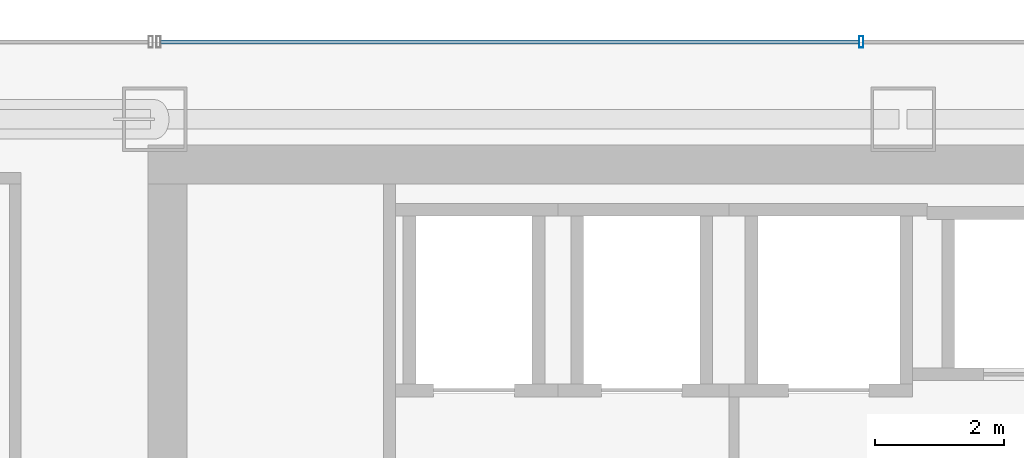
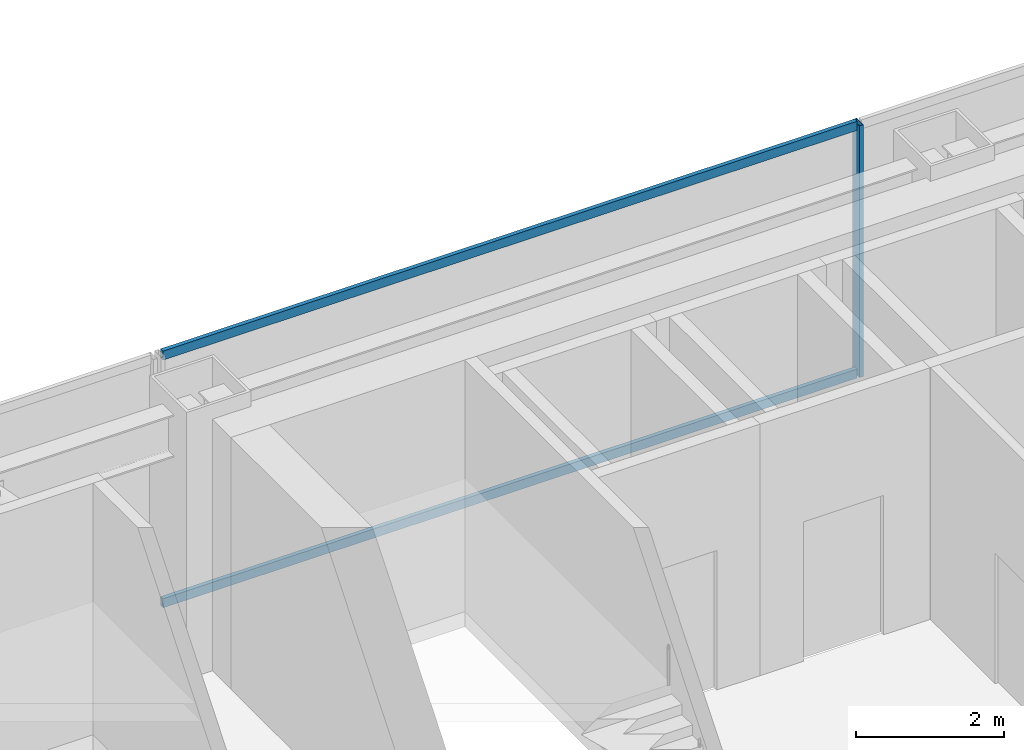
# One storey, part 24 of 37: 3 members, 1 element without a shape of its own.
"""IFC4 building model written with IfcOpenShell, lengths in metres."""

from ifc_helpers import new_model, si_unit, direction, frame, origin, origin_2d, place, context, subcontext, project, spatial, hollow_rectangle, extrude, material, material_profile, profile_set, type_object, element, aggregate, save


model = new_model("IFC4")

# Units and contexts
model_context = context("Model", 3, precision=1e-05, world=origin(), true_north=direction((0.0, 1.0)))
body_context = subcontext(model_context, "Body", "Model", "MODEL_VIEW")
ifc_project = project(units=[si_unit("LENGTHUNIT", "METRE"), si_unit("AREAUNIT", "SQUARE_METRE"), si_unit("VOLUMEUNIT", "CUBIC_METRE"), si_unit("PLANEANGLEUNIT", "RADIAN"), si_unit("MASSUNIT", "GRAM", prefix="KILO")], contexts=[model_context])

# Site, building, storey
site_placement = place(None, origin())
site = spatial("IfcSite", under=ifc_project, at=site_placement, CompositionType="ELEMENT")
building_placement = place(site_placement, origin())
building = spatial("IfcBuilding", under=site, at=building_placement, Name="Saevonmaru Cultural Tower", CompositionType="ELEMENT")
storey_placement = place(building_placement, frame((0.0, 0.0, 114.800048828125)))
storey = spatial("IfcBuildingStorey", under=building, at=storey_placement, Name="L24", CompositionType="ELEMENT", Elevation=114.800048828125)

# Curtain wall, members
ifc_material = material(Name="Satin Bronze Anodised Aluminium", Category="aluminium")
curtain_wall_type = type_object("IfcCurtainWallType", Name="CW-TYP-A", PredefinedType="NOTDEFINED", material=ifc_material)
curtain_wall_placement = place(storey_placement, origin())
curtain_wall = element("IfcCurtainWall", 1, at=curtain_wall_placement, inside=storey, type_object=curtain_wall_type, Name="L24 North Spine Unitised Curtain Wall E10B", PredefinedType="NOTDEFINED")
ifc_material_profile_1 = material_profile(ifc_material, hollow_rectangle(XDim=0.06494140625, YDim=0.179931640625, WallThickness=0.00390625, at=origin_2d()), Name="ALU-MULL-180x65x4")
ifc_profile_set_1 = profile_set([ifc_material_profile_1], Name="Satin Bronze Anodised Aluminium")
member_type_1 = type_object("IfcMemberType", Name="ML-CW-180x65", PredefinedType="MULLION", material=ifc_profile_set_1)
member_1_placement = place(storey_placement, frame((24.55322265625, 56.0, 0.0), z_axis=(0.0, 0.0, 1.0), x_axis=(-1.0, 0.0, 0.0)))
member_1 = element("IfcMember", 2, at=member_1_placement, type_object=member_type_1, Name="CW-TW-L24-E10B mullion 3", PredefinedType="MULLION", context=body_context, shape_type="SweptSolid", body=[
    extrude(hollow_rectangle(XDim=0.06494140625, YDim=0.179931640625, WallThickness=0.00390625, at=origin_2d()), origin(), (0.0, 0.0, 1.0), 4.14990234375),
])
ifc_material_profile_2 = material_profile(ifc_material, hollow_rectangle(XDim=0.06494140625, YDim=0.14990234375, WallThickness=0.00390625, at=origin_2d()), Name="ALU-TRAN-150x65x4")
ifc_profile_set_2 = profile_set([ifc_material_profile_2], Name="Satin Bronze Anodised Aluminium")
member_type_2 = type_object("IfcMemberType", Name="TR-CW-150x65", PredefinedType="USERDEFINED", material=ifc_profile_set_2)
member_2_placement = place(storey_placement, frame((24.520751953125, 56.0, 0.032470703125), z_axis=(-1.0, 0.0, 0.0), x_axis=(0.0, -1.0, 0.0)))
member_2 = element("IfcMember", 3, at=member_2_placement, type_object=member_type_2, Name="CW-TW-L24-E10B transom 3.1", ObjectType="TRANSOM", PredefinedType="USERDEFINED", context=body_context, shape_type="SweptSolid", body=[
    extrude(hollow_rectangle(XDim=0.06494140625, YDim=0.14990234375, WallThickness=0.00390625, at=origin_2d()), origin(), (0.0, 0.0, 1.0), 10.828369140625),
])
member_3_placement = place(storey_placement, frame((24.520751953125, 56.0, 4.117431640625), z_axis=(-1.0, 0.0, 0.0), x_axis=(0.0, -1.0, 0.0)))
member_3 = element("IfcMember", 4, at=member_3_placement, type_object=member_type_2, Name="CW-TW-L24-E10B transom 3.2", ObjectType="TRANSOM", PredefinedType="USERDEFINED", context=body_context, shape_type="SweptSolid", body=[
    extrude(hollow_rectangle(XDim=0.06494140625, YDim=0.14990234375, WallThickness=0.00390625, at=origin_2d()), origin(), (0.0, 0.0, 1.0), 10.828369140625),
])
aggregate(curtain_wall, [member_1, member_2, member_3])

save(model, "model.ifc")
